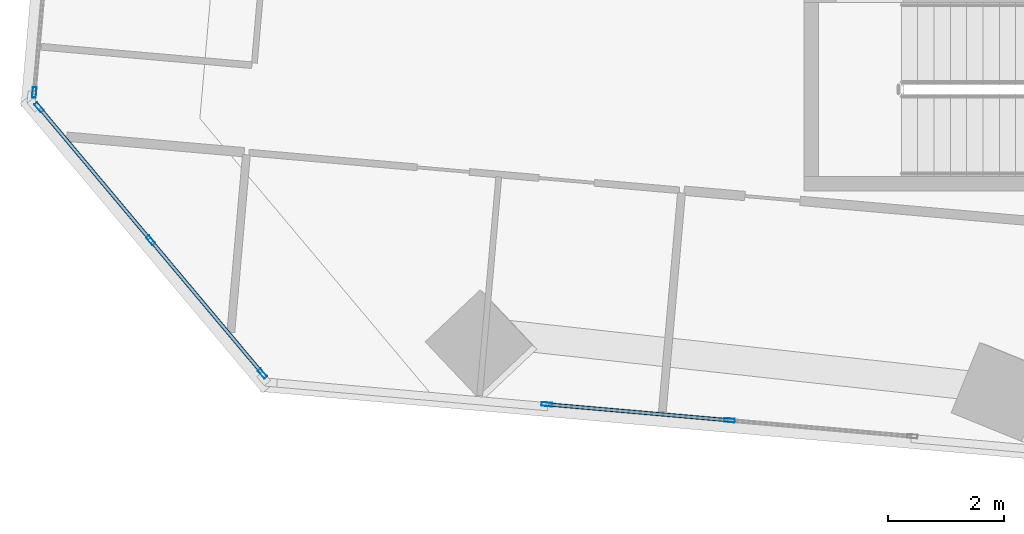
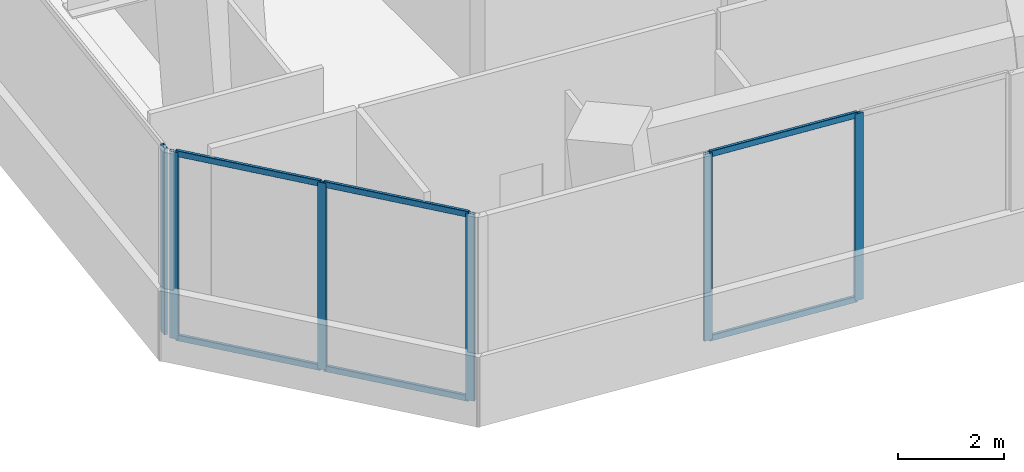
# One storey, part 2 of 24: 12 members, 3 elements without a shape of their own.
"""IFC4 building model written with IfcOpenShell, lengths in metres."""

from ifc_helpers import new_model, si_unit, direction, frame, origin, origin_2d, place, context, subcontext, project, spatial, hollow_rectangle, extrude, source, transform, mapped, material, material_profile, profile_set, type_object, element, aggregate, save


model = new_model("IFC4")

# Units and contexts
model_context = context("Model", 3, precision=1e-05, world=origin(), true_north=direction((0.0, 1.0)))
body_context = subcontext(model_context, "Body", "Model", "MODEL_VIEW")
ifc_project = project(units=[si_unit("LENGTHUNIT", "METRE"), si_unit("AREAUNIT", "SQUARE_METRE"), si_unit("VOLUMEUNIT", "CUBIC_METRE"), si_unit("PLANEANGLEUNIT", "RADIAN"), si_unit("MASSUNIT", "GRAM", prefix="KILO")], contexts=[model_context])

# Site, building, storey
site_placement = place(None, origin())
site = spatial("IfcSite", under=ifc_project, at=site_placement, CompositionType="ELEMENT")
building_placement = place(site_placement, origin())
building = spatial("IfcBuilding", under=site, at=building_placement, Name="Torre Montelarca", CompositionType="ELEMENT")
storey_placement = place(building_placement, frame((0.0, 0.0, 52.0)))
storey = spatial("IfcBuildingStorey", under=building, at=storey_placement, Name="L11", CompositionType="ELEMENT", Elevation=52.0)

# Curtain wall, members
ifc_material_1 = material(Name="Insulated low-E laminated glass", Category="glass")
curtain_wall_type = type_object("IfcCurtainWallType", Name="CW-SYS-Z1", PredefinedType="USERDEFINED", material=ifc_material_1)
curtain_wall_1_placement = place(storey_placement, origin())
curtain_wall_1 = element("IfcCurtainWall", 1, at=curtain_wall_1_placement, inside=storey, type_object=curtain_wall_type, Name="L11 Curtain Wall Run CW-T3-L11-E01-B1", ObjectType="UNITISED GLAZING", PredefinedType="USERDEFINED")
ifc_material_2 = material(Name="Anodised aluminium AA 6063-T6", Category="aluminium")
ifc_material_profile_1 = material_profile(ifc_material_2, hollow_rectangle(XDim=0.06494140625, YDim=0.179931640625, WallThickness=0.00390625, InnerFilletRadius=0.00390625, OuterFilletRadius=0.008056640625, at=origin_2d()), Name="ALU65X180X4", Category="aluminium")
ifc_profile_set_1 = profile_set([ifc_material_profile_1], Name="Anodised aluminium AA 6063-T6")
member_type_1 = type_object("IfcMemberType", Name="CWM-ALU180", PredefinedType="MULLION", material=ifc_profile_set_1)
shared_shape_1 = source(origin(), body_context, "Body", "SweptSolid", [
    extrude(hollow_rectangle(XDim=0.06494140625, YDim=0.179931640625, WallThickness=0.00390625, InnerFilletRadius=0.00390625, OuterFilletRadius=0.008056640625, at=origin_2d()), origin(), (0.0, 0.0, 1.0), 4.320068359375),
])
member_1_placement = place(storey_placement, frame((8.630859375, 14.987060546875, 0.0), z_axis=(0.0, 0.0, 1.0), x_axis=(0.087155647502, 0.996194706425, 0.0)))
member_1 = element("IfcMember", 2, at=member_1_placement, type_object=member_type_1, Name="CW mullion 1", PredefinedType="MULLION", context=body_context, shape_type="MappedRepresentation", body=[
    mapped(shared_shape_1, transform((0.0, 0.0, 0.0), scale=1.0)),
])
member_2_placement = place(storey_placement, frame((11.76904296875, 14.71240234375, 0.0), z_axis=(0.0, 0.0, 1.0), x_axis=(0.087155647502, 0.996194706425, 0.0)))
member_2 = element("IfcMember", 3, at=member_2_placement, type_object=member_type_1, Name="CW mullion 2", PredefinedType="MULLION", context=body_context, shape_type="MappedRepresentation", body=[
    mapped(shared_shape_1, transform((0.0, 0.0, 0.0), scale=1.0)),
])

# Curtain wall, member
curtain_wall_2_placement = place(storey_placement, origin())
curtain_wall_2 = element("IfcCurtainWall", 4, at=curtain_wall_2_placement, inside=storey, type_object=curtain_wall_type, Name="L11 Curtain Wall Run CW-T3-L11-E10-B1", ObjectType="UNITISED GLAZING", PredefinedType="USERDEFINED")
member_3_placement = place(storey_placement, frame((-0.16845703125, 20.342529296875, 0.0), z_axis=(0.0, 0.0, 1.0), x_axis=(0.99619413316, -0.087162199711, 0.0)))
member_3 = element("IfcMember", 5, at=member_3_placement, type_object=member_type_1, Name="CW mullion 3", PredefinedType="MULLION", context=body_context, shape_type="MappedRepresentation", body=[
    mapped(shared_shape_1, transform((0.0, 0.0, 0.0), scale=1.0)),
])
aggregate(curtain_wall_2, [member_3])

# Curtain wall, members
curtain_wall_3_placement = place(storey_placement, origin())
curtain_wall_3 = element("IfcCurtainWall", 6, at=curtain_wall_3_placement, inside=storey, type_object=curtain_wall_type, Name="L11 Curtain Wall Run CW-T3-L11-E11-B1", ObjectType="UNITISED GLAZING", PredefinedType="USERDEFINED")
member_4_placement = place(storey_placement, frame((-0.088134765625, 20.087890625, 0.0), z_axis=(0.0, 0.0, 1.0), x_axis=(0.766042761233, 0.642789614074, 0.0)))
member_4 = element("IfcMember", 7, at=member_4_placement, type_object=member_type_1, Name="CW mullion 1", PredefinedType="MULLION", context=body_context, shape_type="MappedRepresentation", body=[
    mapped(shared_shape_1, transform((0.0, 0.0, 0.0), scale=1.0)),
])
member_5_placement = place(storey_placement, frame((1.82958984375, 17.80224609375, 0.0), z_axis=(0.0, 0.0, 1.0), x_axis=(0.766042761233, 0.642789614074, 0.0)))
member_5 = element("IfcMember", 8, at=member_5_placement, type_object=member_type_1, Name="CW mullion 2", PredefinedType="MULLION", context=body_context, shape_type="MappedRepresentation", body=[
    mapped(shared_shape_1, transform((0.0, 0.0, 0.0), scale=1.0)),
])
member_6_placement = place(storey_placement, frame((3.74755859375, 15.5166015625, 0.0), z_axis=(0.0, 0.0, 1.0), x_axis=(0.766042761233, 0.642789614074, 0.0)))
member_6 = element("IfcMember", 9, at=member_6_placement, type_object=member_type_1, Name="CW mullion 3", PredefinedType="MULLION", context=body_context, shape_type="MappedRepresentation", body=[
    mapped(shared_shape_1, transform((0.0, 0.0, 0.0), scale=1.0)),
])
ifc_material_profile_2 = material_profile(ifc_material_2, hollow_rectangle(XDim=0.06494140625, YDim=0.139892578125, WallThickness=0.00390625, InnerFilletRadius=0.00390625, OuterFilletRadius=0.008056640625, at=origin_2d()), Name="ALU65X140X4", Category="aluminium")
ifc_profile_set_2 = profile_set([ifc_material_profile_2], Name="Anodised aluminium AA 6063-T6")
member_type_2 = type_object("IfcMemberType", Name="CWT-ALU140", PredefinedType="USERDEFINED", material=ifc_profile_set_2)
shared_shape_2 = source(origin(), body_context, "Body", "SweptSolid", [
    extrude(hollow_rectangle(XDim=0.06494140625, YDim=0.139892578125, WallThickness=0.00390625, InnerFilletRadius=0.00390625, OuterFilletRadius=0.008056640625, at=origin_2d()), origin(), (0.0, 0.0, 1.0), 2.918701171875),
])
member_7_placement = place(storey_placement, frame((-0.0673828125, 20.06298828125, 0.032470703125), z_axis=(0.642813407314, -0.766022795599, 0.0), x_axis=(0.766022795599, 0.642813407314, 0.0)))
member_7 = element("IfcMember", 10, at=member_7_placement, type_object=member_type_2, Name="CW transom 1.1", ObjectType="TRANSOM", PredefinedType="USERDEFINED", context=body_context, shape_type="MappedRepresentation", body=[
    mapped(shared_shape_2, transform((0.0, 0.0, 0.0), scale=1.0)),
])
member_8_placement = place(storey_placement, frame((-0.0673828125, 20.06298828125, 4.28759765625), z_axis=(0.642813407314, -0.766022795599, 0.0), x_axis=(0.766022795599, 0.642813407314, 0.0)))
member_8 = element("IfcMember", 11, at=member_8_placement, type_object=member_type_2, Name="CW transom 1.2", ObjectType="TRANSOM", PredefinedType="USERDEFINED", context=body_context, shape_type="MappedRepresentation", body=[
    mapped(shared_shape_2, transform((0.0, 0.0, 0.0), scale=1.0)),
])
member_9_placement = place(storey_placement, frame((1.8505859375, 17.77734375, 0.032470703125), z_axis=(0.642764321107, -0.766063983954, 0.0), x_axis=(0.766063983954, 0.642764321107, 0.0)))
member_9 = element("IfcMember", 12, at=member_9_placement, type_object=member_type_2, Name="CW transom 2.1", ObjectType="TRANSOM", PredefinedType="USERDEFINED", context=body_context, shape_type="MappedRepresentation", body=[
    mapped(shared_shape_2, transform((0.0, 0.0, 0.0), scale=1.0)),
])
member_10_placement = place(storey_placement, frame((1.8505859375, 17.77734375, 4.28759765625), z_axis=(0.642764321107, -0.766063983954, 0.0), x_axis=(0.766063983954, 0.642764321107, 0.0)))
member_10 = element("IfcMember", 13, at=member_10_placement, type_object=member_type_2, Name="CW transom 2.2", ObjectType="TRANSOM", PredefinedType="USERDEFINED", context=body_context, shape_type="MappedRepresentation", body=[
    mapped(shared_shape_2, transform((0.0, 0.0, 0.0), scale=1.0)),
])
aggregate(curtain_wall_3, [member_4, member_5, member_6, member_7, member_8, member_9, member_10])

# Member
shared_shape_3 = source(origin(), body_context, "Body", "SweptSolid", [
    extrude(hollow_rectangle(XDim=0.06494140625, YDim=0.139892578125, WallThickness=0.00390625, InnerFilletRadius=0.00390625, OuterFilletRadius=0.008056640625, at=origin_2d()), origin(), (0.0, 0.0, 1.0), 3.08544921875),
])
member_11_placement = place(storey_placement, frame((8.6630859375, 14.984130859375, 0.032470703125), z_axis=(0.996198010619, -0.087117872096, 0.0), x_axis=(0.087117872096, 0.996198010619, 0.0)))
member_11 = element("IfcMember", 14, at=member_11_placement, type_object=member_type_2, Name="CW transom 1.1", ObjectType="TRANSOM", PredefinedType="USERDEFINED", context=body_context, shape_type="MappedRepresentation", body=[
    mapped(shared_shape_3, transform((0.0, 0.0, 0.0), scale=1.0)),
])

member_12_placement = place(storey_placement, frame((8.6630859375, 14.984130859375, 4.28759765625), z_axis=(0.996198010619, -0.087117872096, 0.0), x_axis=(0.087117872096, 0.996198010619, 0.0)))
member_12 = element("IfcMember", 15, at=member_12_placement, type_object=member_type_2, Name="CW transom 1.2", ObjectType="TRANSOM", PredefinedType="USERDEFINED", context=body_context, shape_type="MappedRepresentation", body=[
    mapped(shared_shape_3, transform((0.0, 0.0, 0.0), scale=1.0)),
])

aggregate(curtain_wall_1, [member_1, member_2, member_11, member_12])

save(model, "model.ifc")
